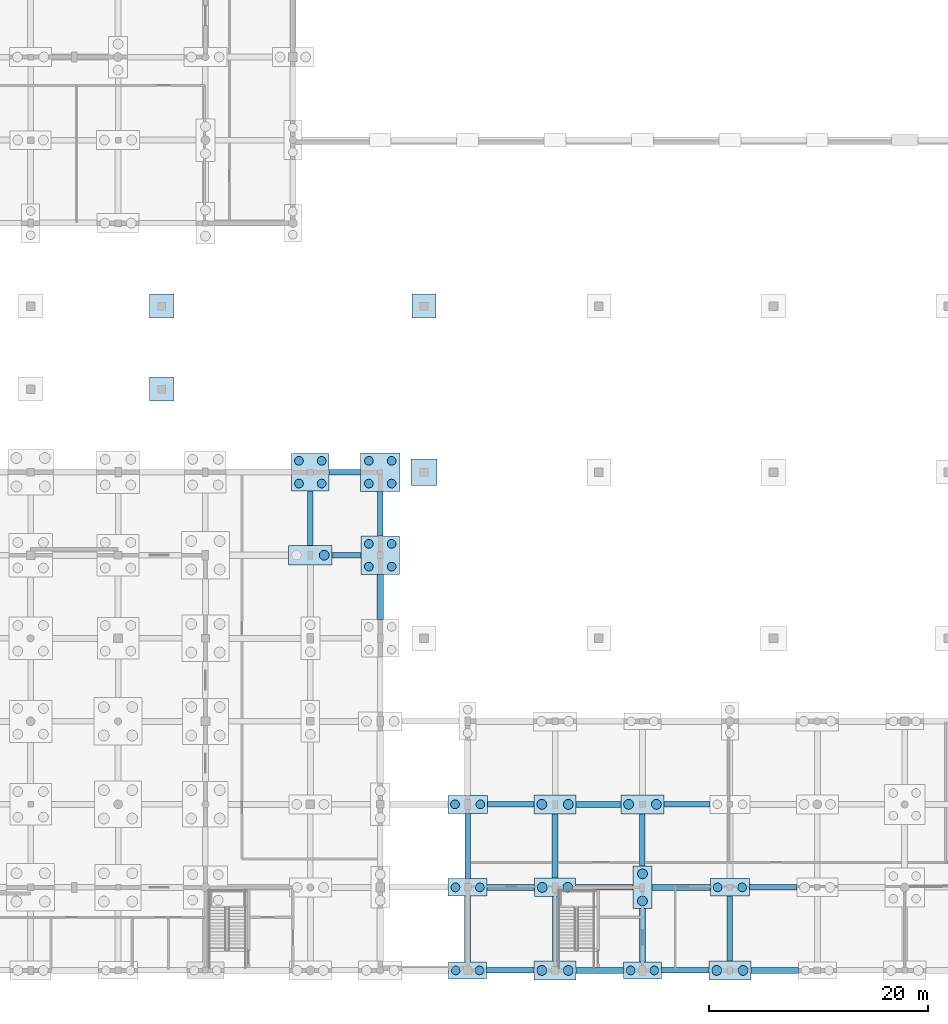
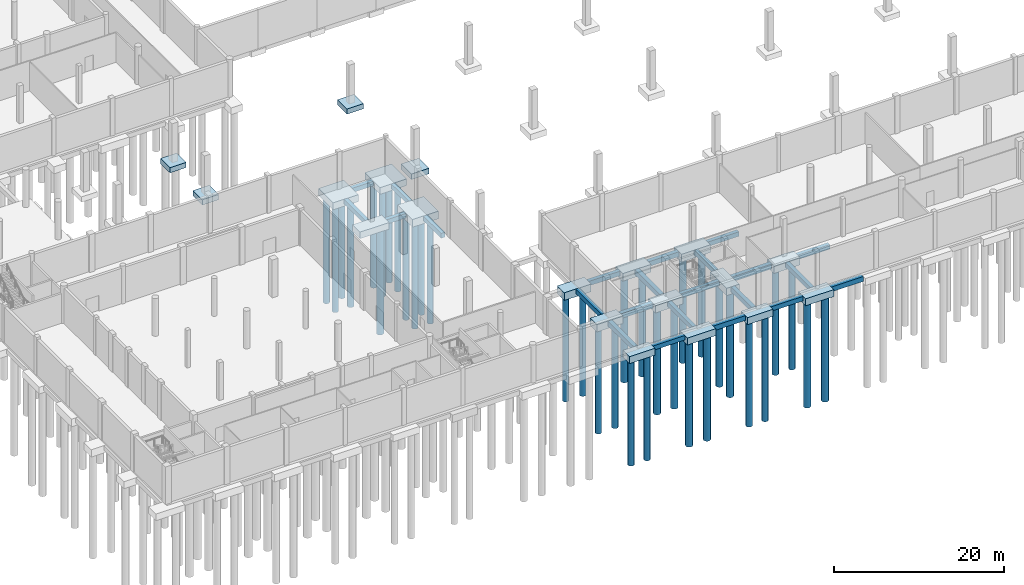
# One storey, part 5 of 44: 42 footings, 35 piles.
"""IFC4 building model written with IfcOpenShell, lengths in metres."""

from ifc_helpers import new_model, si_unit, direction, frame, origin, origin_2d, place, context, subcontext, project, spatial, polyline, circle, outline, extrude, material, material_profile, profile_set, type_object, element, save


model = new_model("IFC4")

# Units and contexts
model_context = context("Model", 3, precision=1e-05, world=origin(), true_north=direction((0.0, 1.0)))
body_context = subcontext(model_context, "Body", "Model", "MODEL_VIEW")
ifc_project = project(units=[si_unit("LENGTHUNIT", "METRE"), si_unit("AREAUNIT", "SQUARE_METRE"), si_unit("VOLUMEUNIT", "CUBIC_METRE"), si_unit("PLANEANGLEUNIT", "RADIAN"), si_unit("MASSUNIT", "GRAM", prefix="KILO")], contexts=[model_context])

# Site, building, storey
site_placement = place(None, origin())
site = spatial("IfcSite", under=ifc_project, at=site_placement, CompositionType="ELEMENT")
building_placement = place(site_placement, origin())
building = spatial("IfcBuilding", under=site, at=building_placement, Name="Khelvaren Railside Concert Hall", CompositionType="ELEMENT")
storey_placement = place(building_placement, frame((0.0, 0.0, -5.39990234375)))
storey = spatial("IfcBuildingStorey", under=building, at=storey_placement, Name="B1", CompositionType="ELEMENT", Elevation=-5.39990234375)

# Piles
ifc_material = material(Name="Concrete C35/45", Category="concrete")
ifc_material_profile_1 = material_profile(ifc_material, circle(Radius=0.449951171875, at=origin_2d()), Name="BP D900")
ifc_profile_set_1 = profile_set([ifc_material_profile_1], Name="Concrete C35/45")
pile_type_1 = type_object("IfcPileType", Name="BP51", PredefinedType="BORED", material=ifc_profile_set_1)
pile_placement = place(storey_placement, frame((50.8701171875, 38.0, -1.35009765625), z_axis=(0.0, 0.0, -1.0), x_axis=(1.0, 0.0, 0.0)))
element("IfcPile", 1, at=pile_placement, inside=storey, type_object=pile_type_1, Name="Bored Pile BP51 PC-V1-100-2", PredefinedType="BORED", context=body_context, shape_type="SweptSolid", body=[
    extrude(circle(Radius=0.449951171875, at=origin_2d()), origin(), (0.0, 0.0, 1.0), 15.25),
])
for number, where, z_axis, x_axis, name in (
    (2, (70.7900390625, 0.0, -1.400146484375), (0.0, 0.0, -1.0), (1.0, 0.0, 0.0), "Bored Pile BP51 PC-V3-113-1"),
    (3, (73.2099609375, 0.0, -1.400146484375), (0.0, 0.0, -1.0), (1.0, 0.0, 0.0), "Bored Pile BP51 PC-V3-113-2"),
):
    element("IfcPile", number, at=place(storey_placement, frame(where, z_axis=z_axis, x_axis=x_axis)), inside=storey, type_object=pile_type_1, Name=name, PredefinedType="BORED", context=body_context, shape_type="SweptSolid", body=[
        extrude(circle(Radius=0.449951171875, at=origin_2d()), origin(), (0.0, 0.0, 1.0), 15.199951171875),
    ])
for number, where, z_axis, x_axis, name in (
    (4, (70.830078125, 7.60009765625, -1.4501953125), (0.0, 0.0, -1.0), (1.0, 0.0, 0.0), "Bored Pile BP51 PC-V3-114-1"),
    (5, (73.169921875, 7.60009765625, -1.4501953125), (0.0, 0.0, -1.0), (1.0, 0.0, 0.0), "Bored Pile BP51 PC-V3-114-2"),
):
    element("IfcPile", number, at=place(storey_placement, frame(where, z_axis=z_axis, x_axis=x_axis)), inside=storey, type_object=pile_type_1, Name=name, PredefinedType="BORED", context=body_context, shape_type="SweptSolid", body=[
        extrude(circle(Radius=0.449951171875, at=origin_2d()), origin(), (0.0, 0.0, 1.0), 15.14990234375),
    ])
for number, where, z_axis, x_axis, name in (
    (6, (70.7900390625, 15.199951171875, -1.5), (0.0, 0.0, -1.0), (1.0, 0.0, 0.0), "Bored Pile BP51 PC-V3-115-1"),
    (7, (73.2099609375, 15.199951171875, -1.5), (0.0, 0.0, -1.0), (1.0, 0.0, 0.0), "Bored Pile BP51 PC-V3-115-2"),
):
    element("IfcPile", number, at=place(storey_placement, frame(where, z_axis=z_axis, x_axis=x_axis)), inside=storey, type_object=pile_type_1, Name=name, PredefinedType="BORED", context=body_context, shape_type="SweptSolid", body=[
        extrude(circle(Radius=0.449951171875, at=origin_2d()), origin(), (0.0, 0.0, 1.0), 15.10009765625),
    ])
for number, where, z_axis, x_axis, name in (
    (8, (80.0, 6.360107421875, -1.4501953125), (0.0, 0.0, -1.0), (1.0, 0.0, 0.0), "Bored Pile BP51 PC-V3-118-1"),
    (9, (80.0, 8.840087890625, -1.4501953125), (0.0, 0.0, -1.0), (1.0, 0.0, 0.0), "Bored Pile BP51 PC-V3-118-2"),
):
    element("IfcPile", number, at=place(storey_placement, frame(where, z_axis=z_axis, x_axis=x_axis)), inside=storey, type_object=pile_type_1, Name=name, PredefinedType="BORED", context=body_context, shape_type="SweptSolid", body=[
        extrude(circle(Radius=0.449951171875, at=origin_2d()), origin(), (0.0, 0.0, 1.0), 15.14990234375),
    ])
for number, where, z_axis, x_axis, name in (
    (10, (78.72998046875, 15.199951171875, -1.5), (0.0, 0.0, -1.0), (1.0, 0.0, 0.0), "Bored Pile BP51 PC-V3-119-1"),
    (11, (81.27001953125, 15.199951171875, -1.5), (0.0, 0.0, -1.0), (1.0, 0.0, 0.0), "Bored Pile BP51 PC-V3-119-2"),
):
    element("IfcPile", number, at=place(storey_placement, frame(where, z_axis=z_axis, x_axis=x_axis)), inside=storey, type_object=pile_type_1, Name=name, PredefinedType="BORED", context=body_context, shape_type="SweptSolid", body=[
        extrude(circle(Radius=0.449951171875, at=origin_2d()), origin(), (0.0, 0.0, 1.0), 15.10009765625),
    ])
for number, where, z_axis, x_axis, name in (
    (12, (86.7900390625, 0.0, -1.400146484375), (0.0, 0.0, -1.0), (1.0, 0.0, 0.0), "Bored Pile BP51 PC-V3-121-1"),
    (13, (89.2099609375, 0.0, -1.400146484375), (0.0, 0.0, -1.0), (1.0, 0.0, 0.0), "Bored Pile BP51 PC-V3-121-2"),
):
    element("IfcPile", number, at=place(storey_placement, frame(where, z_axis=z_axis, x_axis=x_axis)), inside=storey, type_object=pile_type_1, Name=name, PredefinedType="BORED", context=body_context, shape_type="SweptSolid", body=[
        extrude(circle(Radius=0.449951171875, at=origin_2d()), origin(), (0.0, 0.0, 1.0), 15.199951171875),
    ])
ifc_material_profile_2 = material_profile(ifc_material, circle(Radius=0.39990234375, at=origin_2d()), Name="BP D800")
ifc_profile_set_2 = profile_set([ifc_material_profile_2], Name="Concrete C35/45")
pile_type_2 = type_object("IfcPileType", Name="BP84", PredefinedType="BORED", material=ifc_profile_set_2)
for number, where, z_axis, x_axis, name in (
    (14, (48.56005859375, 44.56005859375, -1.400146484375), (0.0, 0.0, -1.0), (1.0, 0.0, 0.0), "Bored Pile BP84 PC-V1-101-1"),
    (15, (50.639892578125, 44.56005859375, -1.400146484375), (0.0, 0.0, -1.0), (1.0, 0.0, 0.0), "Bored Pile BP84 PC-V1-101-2"),
    (16, (48.56005859375, 46.639892578125, -1.400146484375), (0.0, 0.0, -1.0), (1.0, 0.0, 0.0), "Bored Pile BP84 PC-V1-101-3"),
    (17, (50.639892578125, 46.639892578125, -1.400146484375), (0.0, 0.0, -1.0), (1.0, 0.0, 0.0), "Bored Pile BP84 PC-V1-101-4"),
):
    element("IfcPile", number, at=place(storey_placement, frame(where, z_axis=z_axis, x_axis=x_axis)), inside=storey, type_object=pile_type_2, Name=name, PredefinedType="BORED", context=body_context, shape_type="SweptSolid", body=[
        extrude(circle(Radius=0.39990234375, at=origin_2d()), origin(), (0.0, 0.0, 1.0), 15.199951171875),
    ])
for number, where, z_axis, x_axis, name in (
    (18, (54.9599609375, 36.9599609375, -1.5), (0.0, 0.0, -1.0), (1.0, 0.0, 0.0), "Bored Pile BP84 PC-V1-107-1"),
    (19, (57.0400390625, 36.9599609375, -1.5), (0.0, 0.0, -1.0), (1.0, 0.0, 0.0), "Bored Pile BP84 PC-V1-107-2"),
    (20, (54.9599609375, 39.0400390625, -1.5), (0.0, 0.0, -1.0), (1.0, 0.0, 0.0), "Bored Pile BP84 PC-V1-107-3"),
    (21, (57.0400390625, 39.0400390625, -1.5), (0.0, 0.0, -1.0), (1.0, 0.0, 0.0), "Bored Pile BP84 PC-V1-107-4"),
):
    element("IfcPile", number, at=place(storey_placement, frame(where, z_axis=z_axis, x_axis=x_axis)), inside=storey, type_object=pile_type_2, Name=name, PredefinedType="BORED", context=body_context, shape_type="SweptSolid", body=[
        extrude(circle(Radius=0.39990234375, at=origin_2d()), origin(), (0.0, 0.0, 1.0), 15.10009765625),
    ])
for number, where, z_axis, x_axis, name in (
    (22, (54.9599609375, 44.56005859375, -1.35009765625), (0.0, 0.0, -1.0), (1.0, 0.0, 0.0), "Bored Pile BP84 PC-V1-108-1"),
    (23, (57.0400390625, 44.56005859375, -1.35009765625), (0.0, 0.0, -1.0), (1.0, 0.0, 0.0), "Bored Pile BP84 PC-V1-108-2"),
    (24, (54.9599609375, 46.639892578125, -1.35009765625), (0.0, 0.0, -1.0), (1.0, 0.0, 0.0), "Bored Pile BP84 PC-V1-108-3"),
    (25, (57.0400390625, 46.639892578125, -1.35009765625), (0.0, 0.0, -1.0), (1.0, 0.0, 0.0), "Bored Pile BP84 PC-V1-108-4"),
):
    element("IfcPile", number, at=place(storey_placement, frame(where, z_axis=z_axis, x_axis=x_axis)), inside=storey, type_object=pile_type_2, Name=name, PredefinedType="BORED", context=body_context, shape_type="SweptSolid", body=[
        extrude(circle(Radius=0.39990234375, at=origin_2d()), origin(), (0.0, 0.0, 1.0), 15.25),
    ])
for number, where, z_axis, x_axis, name in (
    (26, (62.919921875, 0.0, -1.400146484375), (0.0, 0.0, -1.0), (1.0, 0.0, 0.0), "Bored Pile BP84 PC-V3-109-1"),
    (27, (65.080078125, 0.0, -1.400146484375), (0.0, 0.0, -1.0), (1.0, 0.0, 0.0), "Bored Pile BP84 PC-V3-109-2"),
):
    element("IfcPile", number, at=place(storey_placement, frame(where, z_axis=z_axis, x_axis=x_axis)), inside=storey, type_object=pile_type_2, Name=name, PredefinedType="BORED", context=body_context, shape_type="SweptSolid", body=[
        extrude(circle(Radius=0.39990234375, at=origin_2d()), origin(), (0.0, 0.0, 1.0), 15.199951171875),
    ])
for number, where, z_axis, x_axis, name in (
    (28, (62.8798828125, 7.60009765625, -1.4501953125), (0.0, 0.0, -1.0), (1.0, 0.0, 0.0), "Bored Pile BP84 PC-V3-110-1"),
    (29, (65.1201171875, 7.60009765625, -1.4501953125), (0.0, 0.0, -1.0), (1.0, 0.0, 0.0), "Bored Pile BP84 PC-V3-110-2"),
):
    element("IfcPile", number, at=place(storey_placement, frame(where, z_axis=z_axis, x_axis=x_axis)), inside=storey, type_object=pile_type_2, Name=name, PredefinedType="BORED", context=body_context, shape_type="SweptSolid", body=[
        extrude(circle(Radius=0.39990234375, at=origin_2d()), origin(), (0.0, 0.0, 1.0), 15.14990234375),
    ])
for number, where, z_axis, x_axis, name in (
    (30, (62.840087890625, 15.199951171875, -1.5), (0.0, 0.0, -1.0), (1.0, 0.0, 0.0), "Bored Pile BP84 PC-V3-111-1"),
    (31, (65.159912109375, 15.199951171875, -1.5), (0.0, 0.0, -1.0), (1.0, 0.0, 0.0), "Bored Pile BP84 PC-V3-111-2"),
):
    element("IfcPile", number, at=place(storey_placement, frame(where, z_axis=z_axis, x_axis=x_axis)), inside=storey, type_object=pile_type_2, Name=name, PredefinedType="BORED", context=body_context, shape_type="SweptSolid", body=[
        extrude(circle(Radius=0.39990234375, at=origin_2d()), origin(), (0.0, 0.0, 1.0), 15.10009765625),
    ])
for number, where, z_axis, x_axis, name in (
    (32, (78.919921875, 0.0, -1.400146484375), (0.0, 0.0, -1.0), (1.0, 0.0, 0.0), "Bored Pile BP84 PC-V3-117-1"),
    (33, (81.080078125, 0.0, -1.400146484375), (0.0, 0.0, -1.0), (1.0, 0.0, 0.0), "Bored Pile BP84 PC-V3-117-2"),
):
    element("IfcPile", number, at=place(storey_placement, frame(where, z_axis=z_axis, x_axis=x_axis)), inside=storey, type_object=pile_type_2, Name=name, PredefinedType="BORED", context=body_context, shape_type="SweptSolid", body=[
        extrude(circle(Radius=0.39990234375, at=origin_2d()), origin(), (0.0, 0.0, 1.0), 15.199951171875),
    ])
for number, where, z_axis, x_axis, name in (
    (34, (86.8798828125, 7.60009765625, -1.4501953125), (0.0, 0.0, -1.0), (1.0, 0.0, 0.0), "Bored Pile BP84 PC-V3-122-1"),
    (35, (89.1201171875, 7.60009765625, -1.4501953125), (0.0, 0.0, -1.0), (1.0, 0.0, 0.0), "Bored Pile BP84 PC-V3-122-2"),
):
    element("IfcPile", number, at=place(storey_placement, frame(where, z_axis=z_axis, x_axis=x_axis)), inside=storey, type_object=pile_type_2, Name=name, PredefinedType="BORED", context=body_context, shape_type="SweptSolid", body=[
        extrude(circle(Radius=0.39990234375, at=origin_2d()), origin(), (0.0, 0.0, 1.0), 15.14990234375),
    ])

# Footings
footing_type_1 = type_object("IfcFootingType", Name="GB49", PredefinedType="FOOTING_BEAM", material=ifc_material)
footing_1_placement = place(storey_placement, frame((0.0, 0.0, -1.150146484375)))
element("IfcFooting", 36, at=footing_1_placement, inside=storey, type_object=footing_type_1, Name="Ground Tie Beam GB49 9", PredefinedType="FOOTING_BEAM", context=body_context, shape_type="SweptSolid", body=[
    extrude(outline(polyline([(65.739990234375, -0.25), (70.080078125, -0.25), (70.080078125, 0.25), (65.739990234375, 0.25), (65.739990234375, -0.25)])), origin(), (0.0, 0.0, 1.0), 0.650146484375),
])
footing_2_placement = place(storey_placement, frame((0.0, 0.0, -1.150146484375)))
element("IfcFooting", 37, at=footing_2_placement, inside=storey, type_object=footing_type_1, Name="Ground Tie Beam GB49 11", PredefinedType="FOOTING_BEAM", context=body_context, shape_type="SweptSolid", body=[
    extrude(outline(polyline([(81.739990234375, -0.25), (86.080078125, -0.25), (86.080078125, 0.25), (81.739990234375, 0.25), (81.739990234375, -0.25)])), origin(), (0.0, 0.0, 1.0), 0.650146484375),
])
footing_3_placement = place(storey_placement, frame((0.0, 0.0, -1.150146484375)))
element("IfcFooting", 38, at=footing_3_placement, inside=storey, type_object=footing_type_1, Name="Ground Tie Beam GB49 33", PredefinedType="FOOTING_BEAM", context=body_context, shape_type="SweptSolid", body=[
    extrude(outline(polyline([(73.8798828125, 7.35009765625), (79.125, 7.35009765625), (79.125, 7.85009765625), (73.8798828125, 7.85009765625), (73.8798828125, 7.35009765625)])), origin(), (0.0, 0.0, 1.0), 0.650146484375),
])
footing_4_placement = place(storey_placement, frame((0.0, 0.0, -1.150146484375)))
element("IfcFooting", 39, at=footing_4_placement, inside=storey, type_object=footing_type_1, Name="Ground Tie Beam GB49 35", PredefinedType="FOOTING_BEAM", context=body_context, shape_type="SweptSolid", body=[
    extrude(outline(polyline([(89.780029296875, 7.35009765625), (94.1201171875, 7.35009765625), (94.1201171875, 7.85009765625), (89.780029296875, 7.85009765625), (89.780029296875, 7.35009765625)])), origin(), (0.0, 0.0, 1.0), 0.650146484375),
])
footing_5_placement = place(storey_placement, frame((0.0, 0.0, -1.150146484375)))
element("IfcFooting", 40, at=footing_5_placement, inside=storey, type_object=footing_type_1, Name="Ground Tie Beam GB49 55", PredefinedType="FOOTING_BEAM", context=body_context, shape_type="SweptSolid", body=[
    extrude(outline(polyline([(65.820068359375, 14.949951171875), (70.080078125, 14.949951171875), (70.080078125, 15.449951171875), (65.820068359375, 15.449951171875), (65.820068359375, 14.949951171875)])), origin(), (0.0, 0.0, 1.0), 0.650146484375),
])
footing_6_placement = place(storey_placement, frame((0.0, 0.0, -1.150146484375)))
element("IfcFooting", 41, at=footing_6_placement, inside=storey, type_object=footing_type_1, Name="Ground Tie Beam GB49 57", PredefinedType="FOOTING_BEAM", context=body_context, shape_type="SweptSolid", body=[
    extrude(outline(polyline([(81.97998046875, 14.949951171875), (86.179931640625, 14.949951171875), (86.179931640625, 15.449951171875), (81.97998046875, 15.449951171875), (81.97998046875, 14.949951171875)])), origin(), (0.0, 0.0, 1.0), 0.650146484375),
])
footing_7_placement = place(storey_placement, frame((0.0, 0.0, -1.150146484375)))
element("IfcFooting", 42, at=footing_7_placement, inside=storey, type_object=footing_type_1, Name="Ground Tie Beam GB49 111", PredefinedType="FOOTING_BEAM", context=body_context, shape_type="SweptSolid", body=[
    extrude(outline(polyline([(51.580078125, 37.75), (54.239990234375, 37.75), (54.239990234375, 38.25), (51.580078125, 38.25), (51.580078125, 37.75)])), origin(), (0.0, 0.0, 1.0), 0.650146484375),
])
footing_8_placement = place(storey_placement, frame((0.0, 0.0, -1.150146484375)))
element("IfcFooting", 43, at=footing_8_placement, inside=storey, type_object=footing_type_1, Name="Ground Tie Beam GB49 123", PredefinedType="FOOTING_BEAM", context=body_context, shape_type="SweptSolid", body=[
    extrude(outline(polyline([(51.320068359375, 45.35009765625), (54.199951171875, 45.35009765625), (54.199951171875, 45.85009765625), (51.320068359375, 45.85009765625), (51.320068359375, 45.35009765625)])), origin(), (0.0, 0.0, 1.0), 0.650146484375),
])
footing_9_placement = place(storey_placement, frame((0.0, 0.0, -1.150146484375)))
element("IfcFooting", 44, at=footing_9_placement, inside=storey, type_object=footing_type_1, Name="Ground Tie Beam GB49 297", PredefinedType="FOOTING_BEAM", context=body_context, shape_type="SweptSolid", body=[
    extrude(outline(polyline([(49.35009765625, 38.875), (49.85009765625, 38.875), (49.85009765625, 43.8798828125), (49.35009765625, 43.8798828125), (49.35009765625, 38.875)])), origin(), (0.0, 0.0, 1.0), 0.650146484375),
])
footing_10_placement = place(storey_placement, frame((0.0, 0.0, -1.150146484375)))
element("IfcFooting", 45, at=footing_10_placement, inside=storey, type_object=footing_type_1, Name="Ground Tie Beam GB49 303", PredefinedType="FOOTING_BEAM", context=body_context, shape_type="SweptSolid", body=[
    extrude(outline(polyline([(55.75, 39.739990234375), (56.25, 39.739990234375), (56.25, 43.820068359375), (55.75, 43.820068359375), (55.75, 39.739990234375)])), origin(), (0.0, 0.0, 1.0), 0.650146484375),
])
footing_11_placement = place(storey_placement, frame((0.0, 0.0, -1.150146484375)))
element("IfcFooting", 46, at=footing_11_placement, inside=storey, type_object=footing_type_1, Name="Ground Tie Beam GB49 305", PredefinedType="FOOTING_BEAM", context=body_context, shape_type="SweptSolid", body=[
    extrude(outline(polyline([(63.75, 8.39990234375), (64.25, 8.39990234375), (64.25, 14.375), (63.75, 14.375), (63.75, 8.39990234375)])), origin(), (0.0, 0.0, 1.0), 0.650146484375),
])
footing_12_placement = place(storey_placement, frame((0.0, 0.0, -1.150146484375)))
element("IfcFooting", 47, at=footing_12_placement, inside=storey, type_object=footing_type_1, Name="Ground Tie Beam GB49 307", PredefinedType="FOOTING_BEAM", context=body_context, shape_type="SweptSolid", body=[
    extrude(outline(polyline([(71.75, 0.860107421875), (72.25, 0.860107421875), (72.25, 6.75), (71.75, 6.75), (71.75, 0.860107421875)])), origin(), (0.0, 0.0, 1.0), 0.650146484375),
])
footing_13_placement = place(storey_placement, frame((0.0, 0.0, -1.150146484375)))
element("IfcFooting", 48, at=footing_13_placement, inside=storey, type_object=footing_type_1, Name="Ground Tie Beam GB49 311", PredefinedType="FOOTING_BEAM", context=body_context, shape_type="SweptSolid", body=[
    extrude(outline(polyline([(79.75, 9.550048828125), (80.25, 9.550048828125), (80.25, 14.324951171875), (79.75, 14.324951171875), (79.75, 9.550048828125)])), origin(), (0.0, 0.0, 1.0), 0.650146484375),
])
footing_14_placement = place(storey_placement, frame((0.0, 0.0, -1.150146484375)))
element("IfcFooting", 49, at=footing_14_placement, inside=storey, type_object=footing_type_1, Name="Ground Tie Beam GB49 313", PredefinedType="FOOTING_BEAM", context=body_context, shape_type="SweptSolid", body=[
    extrude(outline(polyline([(87.75, 0.860107421875), (88.25, 0.860107421875), (88.25, 6.800048828125), (87.75, 6.800048828125), (87.75, 0.860107421875)])), origin(), (0.0, 0.0, 1.0), 0.650146484375),
])
footing_type_2 = type_object("IfcFootingType", Name="GB57", PredefinedType="FOOTING_BEAM", material=ifc_material)
footing_15_placement = place(storey_placement, frame((0.0, 0.0, -1.2001953125)))
element("IfcFooting", 50, at=footing_15_placement, inside=storey, type_object=footing_type_2, Name="Ground Tie Beam GB57 10", PredefinedType="FOOTING_BEAM", context=body_context, shape_type="SweptSolid", body=[
    extrude(outline(polyline([(73.919921875, -0.27490234375), (78.260009765625, -0.27490234375), (78.260009765625, 0.27490234375), (73.919921875, 0.27490234375), (73.919921875, -0.27490234375)])), origin(), (0.0, 0.0, 1.0), 0.7001953125),
])
footing_16_placement = place(storey_placement, frame((0.0, 0.0, -1.2001953125)))
element("IfcFooting", 51, at=footing_16_placement, inside=storey, type_object=footing_type_2, Name="Ground Tie Beam GB57 12", PredefinedType="FOOTING_BEAM", context=body_context, shape_type="SweptSolid", body=[
    extrude(outline(polyline([(89.919921875, -0.27490234375), (94.260009765625, -0.27490234375), (94.260009765625, 0.27490234375), (89.919921875, 0.27490234375), (89.919921875, -0.27490234375)])), origin(), (0.0, 0.0, 1.0), 0.7001953125),
])
footing_17_placement = place(storey_placement, frame((0.0, 0.0, -1.2001953125)))
element("IfcFooting", 52, at=footing_17_placement, inside=storey, type_object=footing_type_2, Name="Ground Tie Beam GB57 32", PredefinedType="FOOTING_BEAM", context=body_context, shape_type="SweptSolid", body=[
    extrude(outline(polyline([(65.780029296875, 7.324951171875), (70.1201171875, 7.324951171875), (70.1201171875, 7.875), (65.780029296875, 7.875), (65.780029296875, 7.324951171875)])), origin(), (0.0, 0.0, 1.0), 0.7001953125),
])
footing_18_placement = place(storey_placement, frame((0.0, 0.0, -1.2001953125)))
element("IfcFooting", 53, at=footing_18_placement, inside=storey, type_object=footing_type_2, Name="Ground Tie Beam GB57 34", PredefinedType="FOOTING_BEAM", context=body_context, shape_type="SweptSolid", body=[
    extrude(outline(polyline([(80.875, 7.324951171875), (86.219970703125, 7.324951171875), (86.219970703125, 7.875), (80.875, 7.875), (80.875, 7.324951171875)])), origin(), (0.0, 0.0, 1.0), 0.7001953125),
])
footing_19_placement = place(storey_placement, frame((0.0, 0.0, -1.2001953125)))
element("IfcFooting", 54, at=footing_19_placement, inside=storey, type_object=footing_type_2, Name="Ground Tie Beam GB57 56", PredefinedType="FOOTING_BEAM", context=body_context, shape_type="SweptSolid", body=[
    extrude(outline(polyline([(73.919921875, 14.925048828125), (78.02001953125, 14.925048828125), (78.02001953125, 15.47509765625), (73.919921875, 15.47509765625), (73.919921875, 14.925048828125)])), origin(), (0.0, 0.0, 1.0), 0.7001953125),
])
footing_20_placement = place(storey_placement, frame((0.0, 0.0, -1.2001953125)))
element("IfcFooting", 55, at=footing_20_placement, inside=storey, type_object=footing_type_2, Name="Ground Tie Beam GB57 302", PredefinedType="FOOTING_BEAM", context=body_context, shape_type="SweptSolid", body=[
    extrude(outline(polyline([(55.72509765625, 32.1201171875), (56.27490234375, 32.1201171875), (56.27490234375, 36.260009765625), (55.72509765625, 36.260009765625), (55.72509765625, 32.1201171875)])), origin(), (0.0, 0.0, 1.0), 0.7001953125),
])
footing_21_placement = place(storey_placement, frame((0.0, 0.0, -1.2001953125)))
element("IfcFooting", 56, at=footing_21_placement, inside=storey, type_object=footing_type_2, Name="Ground Tie Beam GB57 304", PredefinedType="FOOTING_BEAM", context=body_context, shape_type="SweptSolid", body=[
    extrude(outline(polyline([(63.72509765625, 0.77490234375), (64.27490234375, 0.77490234375), (64.27490234375, 6.800048828125), (63.72509765625, 6.800048828125), (63.72509765625, 0.77490234375)])), origin(), (0.0, 0.0, 1.0), 0.7001953125),
])
footing_22_placement = place(storey_placement, frame((0.0, 0.0, -1.2001953125)))
element("IfcFooting", 57, at=footing_22_placement, inside=storey, type_object=footing_type_2, Name="Ground Tie Beam GB57 308", PredefinedType="FOOTING_BEAM", context=body_context, shape_type="SweptSolid", body=[
    extrude(outline(polyline([(71.72509765625, 8.449951171875), (72.27490234375, 8.449951171875), (72.27490234375, 14.340087890625), (71.72509765625, 14.340087890625), (71.72509765625, 8.449951171875)])), origin(), (0.0, 0.0, 1.0), 0.7001953125),
])
footing_23_placement = place(storey_placement, frame((0.0, 0.0, -1.2001953125)))
element("IfcFooting", 58, at=footing_23_placement, inside=storey, type_object=footing_type_2, Name="Ground Tie Beam GB57 310", PredefinedType="FOOTING_BEAM", context=body_context, shape_type="SweptSolid", body=[
    extrude(outline(polyline([(79.72509765625, 0.77490234375), (80.27490234375, 0.77490234375), (80.27490234375, 5.64990234375), (79.72509765625, 5.64990234375), (79.72509765625, 0.77490234375)])), origin(), (0.0, 0.0, 1.0), 0.7001953125),
])
footing_type_3 = type_object("IfcFootingType", Name="PC22", PredefinedType="PILE_CAP", material=ifc_material)
footing_24_placement = place(storey_placement, frame((0.0, 0.0, -1.5)))
element("IfcFooting", 59, at=footing_24_placement, inside=storey, type_object=footing_type_3, Name="Pile Cap PC22 (49.6,45.6)", PredefinedType="PILE_CAP", context=body_context, shape_type="SweptSolid", body=[
    extrude(outline(polyline([(47.8798828125, 43.8798828125), (51.320068359375, 43.8798828125), (51.320068359375, 47.320068359375), (47.8798828125, 47.320068359375), (47.8798828125, 43.8798828125)])), origin(), (0.0, 0.0, 1.0), 1.0),
])
footing_type_4 = type_object("IfcFootingType", Name="PC25", PredefinedType="PILE_CAP", material=ifc_material)
footing_25_placement = place(storey_placement, frame((0.0, 0.0, -1.60009765625)))
element("IfcFooting", 60, at=footing_25_placement, inside=storey, type_object=footing_type_4, Name="Pile Cap PC25 (72.0,15.2)", PredefinedType="PILE_CAP", context=body_context, shape_type="SweptSolid", body=[
    extrude(outline(polyline([(70.080078125, 14.340087890625), (73.919921875, 14.340087890625), (73.919921875, 16.06005859375), (70.080078125, 16.06005859375), (70.080078125, 14.340087890625)])), origin(), (0.0, 0.0, 1.0), 1.10009765625),
])
footing_type_5 = type_object("IfcFootingType", Name="PC28", PredefinedType="PILE_CAP", material=ifc_material)
footing_26_placement = place(storey_placement, frame((0.0, 0.0, -1.60009765625)))
element("IfcFooting", 61, at=footing_26_placement, inside=storey, type_object=footing_type_5, Name="Pile Cap PC28 (80.0,15.2)", PredefinedType="PILE_CAP", context=body_context, shape_type="SweptSolid", body=[
    extrude(outline(polyline([(78.02001953125, 14.324951171875), (81.97998046875, 14.324951171875), (81.97998046875, 16.074951171875), (78.02001953125, 16.074951171875), (78.02001953125, 14.324951171875)])), origin(), (0.0, 0.0, 1.0), 1.10009765625),
])
footing_type_6 = type_object("IfcFootingType", Name="PC33", PredefinedType="PILE_CAP", material=ifc_material)
footing_27_placement = place(storey_placement, frame((0.0, 0.0, -1.60009765625)))
element("IfcFooting", 62, at=footing_27_placement, inside=storey, type_object=footing_type_6, Name="Pile Cap PC33 (64.0,15.2)", PredefinedType="PILE_CAP", context=body_context, shape_type="SweptSolid", body=[
    extrude(outline(polyline([(62.179931640625, 14.375), (65.820068359375, 14.375), (65.820068359375, 16.02490234375), (62.179931640625, 16.02490234375), (62.179931640625, 14.375)])), origin(), (0.0, 0.0, 1.0), 1.10009765625),
])
footing_type_7 = type_object("IfcFootingType", Name="PC38", PredefinedType="PILE_CAP", material=ifc_material)
footing_28_placement = place(storey_placement, frame((0.0, 0.0, -1.4501953125)))
element("IfcFooting", 63, at=footing_28_placement, inside=storey, type_object=footing_type_7, Name="Pile Cap PC38 (56.0,45.6)", PredefinedType="PILE_CAP", context=body_context, shape_type="SweptSolid", body=[
    extrude(outline(polyline([(54.199951171875, 43.820068359375), (57.800048828125, 43.820068359375), (57.800048828125, 47.3798828125), (54.199951171875, 47.3798828125), (54.199951171875, 43.820068359375)])), origin(), (0.0, 0.0, 1.0), 0.9501953125),
])
footing_type_8 = type_object("IfcFootingType", Name="PC41", PredefinedType="PILE_CAP", material=ifc_material)
footing_29_placement = place(storey_placement, frame((0.0, 0.0, -1.550048828125)))
element("IfcFooting", 64, at=footing_29_placement, inside=storey, type_object=footing_type_8, Name="Pile Cap PC41 (80.0,7.6)", PredefinedType="PILE_CAP", context=body_context, shape_type="SweptSolid", body=[
    extrude(outline(polyline([(79.125, 5.64990234375), (80.875, 5.64990234375), (80.875, 9.550048828125), (79.125, 9.550048828125), (79.125, 5.64990234375)])), origin(), (0.0, 0.0, 1.0), 1.050048828125),
])
footing_type_9 = type_object("IfcFootingType", Name="PC58", PredefinedType="PILE_CAP", material=ifc_material)
footing_30_placement = place(storey_placement, frame((0.0, 0.0, -1.550048828125)))
element("IfcFooting", 65, at=footing_30_placement, inside=storey, type_object=footing_type_9, Name="Pile Cap PC58 (72.0,7.6)", PredefinedType="PILE_CAP", context=body_context, shape_type="SweptSolid", body=[
    extrude(outline(polyline([(70.1201171875, 6.75), (73.8798828125, 6.75), (73.8798828125, 8.449951171875), (70.1201171875, 8.449951171875), (70.1201171875, 6.75)])), origin(), (0.0, 0.0, 1.0), 1.050048828125),
])
footing_type_10 = type_object("IfcFootingType", Name="PC59", PredefinedType="PILE_CAP", material=ifc_material)
footing_31_placement = place(storey_placement, frame((0.0, 0.0, -1.5)))
element("IfcFooting", 66, at=footing_31_placement, inside=storey, type_object=footing_type_10, Name="Pile Cap PC59 (72.0,0.0)", PredefinedType="PILE_CAP", context=body_context, shape_type="SweptSolid", body=[
    extrude(outline(polyline([(70.080078125, -0.860107421875), (73.919921875, -0.860107421875), (73.919921875, 0.860107421875), (70.080078125, 0.860107421875), (70.080078125, -0.860107421875)])), origin(), (0.0, 0.0, 1.0), 1.0),
])
footing_32_placement = place(storey_placement, frame((0.0, 0.0, -1.5)))
element("IfcFooting", 67, at=footing_32_placement, inside=storey, type_object=footing_type_10, Name="Pile Cap PC59 (88.0,0.0)", PredefinedType="PILE_CAP", context=body_context, shape_type="SweptSolid", body=[
    extrude(outline(polyline([(86.080078125, -0.860107421875), (89.919921875, -0.860107421875), (89.919921875, 0.860107421875), (86.080078125, 0.860107421875), (86.080078125, -0.860107421875)])), origin(), (0.0, 0.0, 1.0), 1.0),
])
footing_type_11 = type_object("IfcFootingType", Name="PC86", PredefinedType="PILE_CAP", material=ifc_material)
footing_33_placement = place(storey_placement, frame((0.0, 0.0, -1.550048828125)))
element("IfcFooting", 68, at=footing_33_placement, inside=storey, type_object=footing_type_11, Name="Pile Cap PC86 (64.0,7.6)", PredefinedType="PILE_CAP", context=body_context, shape_type="SweptSolid", body=[
    extrude(outline(polyline([(62.219970703125, 6.800048828125), (65.780029296875, 6.800048828125), (65.780029296875, 8.39990234375), (62.219970703125, 8.39990234375), (62.219970703125, 6.800048828125)])), origin(), (0.0, 0.0, 1.0), 1.050048828125),
])
footing_34_placement = place(storey_placement, frame((0.0, 0.0, -1.550048828125)))
element("IfcFooting", 69, at=footing_34_placement, inside=storey, type_object=footing_type_11, Name="Pile Cap PC86 (88.0,7.6)", PredefinedType="PILE_CAP", context=body_context, shape_type="SweptSolid", body=[
    extrude(outline(polyline([(86.219970703125, 6.800048828125), (89.780029296875, 6.800048828125), (89.780029296875, 8.39990234375), (86.219970703125, 8.39990234375), (86.219970703125, 6.800048828125)])), origin(), (0.0, 0.0, 1.0), 1.050048828125),
])
footing_type_12 = type_object("IfcFootingType", Name="PC87", PredefinedType="PILE_CAP", material=ifc_material)
footing_35_placement = place(storey_placement, frame((0.0, 0.0, -1.4501953125)))
element("IfcFooting", 70, at=footing_35_placement, inside=storey, type_object=footing_type_12, Name="Pile Cap PC87 (49.6,38.0)", PredefinedType="PILE_CAP", context=body_context, shape_type="SweptSolid", body=[
    extrude(outline(polyline([(47.6201171875, 37.125), (51.580078125, 37.125), (51.580078125, 38.875), (47.6201171875, 38.875), (47.6201171875, 37.125)])), origin(), (0.0, 0.0, 1.0), 0.9501953125),
])
footing_type_13 = type_object("IfcFootingType", Name="PC89", PredefinedType="PILE_CAP", material=ifc_material)
footing_36_placement = place(storey_placement, frame((0.0, 0.0, -1.60009765625)))
element("IfcFooting", 71, at=footing_36_placement, inside=storey, type_object=footing_type_13, Name="Pile Cap PC89 (56.0,38.0)", PredefinedType="PILE_CAP", context=body_context, shape_type="SweptSolid", body=[
    extrude(outline(polyline([(54.239990234375, 36.260009765625), (57.760009765625, 36.260009765625), (57.760009765625, 39.739990234375), (54.239990234375, 39.739990234375), (54.239990234375, 36.260009765625)])), origin(), (0.0, 0.0, 1.0), 1.10009765625),
])
footing_type_14 = type_object("IfcFootingType", Name="PC93", PredefinedType="PILE_CAP", material=ifc_material)
footing_37_placement = place(storey_placement, frame((0.0, 0.0, -1.5)))
element("IfcFooting", 72, at=footing_37_placement, inside=storey, type_object=footing_type_14, Name="Pile Cap PC93 (64.0,0.0)", PredefinedType="PILE_CAP", context=body_context, shape_type="SweptSolid", body=[
    extrude(outline(polyline([(62.260009765625, -0.77490234375), (65.739990234375, -0.77490234375), (65.739990234375, 0.77490234375), (62.260009765625, 0.77490234375), (62.260009765625, -0.77490234375)])), origin(), (0.0, 0.0, 1.0), 1.0),
])
footing_38_placement = place(storey_placement, frame((0.0, 0.0, -1.5)))
element("IfcFooting", 73, at=footing_38_placement, inside=storey, type_object=footing_type_14, Name="Pile Cap PC93 (80.0,0.0)", PredefinedType="PILE_CAP", context=body_context, shape_type="SweptSolid", body=[
    extrude(outline(polyline([(78.260009765625, -0.77490234375), (81.739990234375, -0.77490234375), (81.739990234375, 0.77490234375), (78.260009765625, 0.77490234375), (78.260009765625, -0.77490234375)])), origin(), (0.0, 0.0, 1.0), 1.0),
])
footing_type_15 = type_object("IfcFootingType", Name="PF31", PredefinedType="PAD_FOOTING", material=ifc_material)
footing_39_placement = place(storey_placement, frame((0.0, 0.0, -1.25)))
element("IfcFooting", 74, at=footing_39_placement, inside=storey, type_object=footing_type_15, Name="Pad Footing PF31 12", PredefinedType="PAD_FOOTING", context=body_context, shape_type="SweptSolid", body=[
    extrude(outline(polyline([(58.89990234375, 59.699951171875), (61.10009765625, 59.699951171875), (61.10009765625, 61.89990234375), (58.89990234375, 61.89990234375), (58.89990234375, 59.699951171875)])), origin(), (0.0, 0.0, 1.0), 0.75),
])
footing_40_placement = place(storey_placement, frame((0.0, 0.0, -1.25)))
element("IfcFooting", 75, at=footing_40_placement, inside=storey, type_object=footing_type_15, Name="Pad Footing PF31 39", PredefinedType="PAD_FOOTING", context=body_context, shape_type="SweptSolid", body=[
    extrude(outline(polyline([(34.89990234375, 52.10009765625), (37.10009765625, 52.10009765625), (37.10009765625, 54.300048828125), (34.89990234375, 54.300048828125), (34.89990234375, 52.10009765625)])), origin(), (0.0, 0.0, 1.0), 0.75),
])
footing_41_placement = place(storey_placement, frame((0.0, 0.0, -1.25)))
element("IfcFooting", 76, at=footing_41_placement, inside=storey, type_object=footing_type_15, Name="Pad Footing PF31 41", PredefinedType="PAD_FOOTING", context=body_context, shape_type="SweptSolid", body=[
    extrude(outline(polyline([(34.89990234375, 59.699951171875), (37.10009765625, 59.699951171875), (37.10009765625, 61.89990234375), (34.89990234375, 61.89990234375), (34.89990234375, 59.699951171875)])), origin(), (0.0, 0.0, 1.0), 0.75),
])
footing_type_16 = type_object("IfcFootingType", Name="PF46", PredefinedType="PAD_FOOTING", material=ifc_material)
footing_42_placement = place(storey_placement, frame((0.0, 0.0, -1.300048828125)))
element("IfcFooting", 77, at=footing_42_placement, inside=storey, type_object=footing_type_16, Name="Pad Footing PF46 6", PredefinedType="PAD_FOOTING", context=body_context, shape_type="SweptSolid", body=[
    extrude(outline(polyline([(58.800048828125, 44.39990234375), (61.199951171875, 44.39990234375), (61.199951171875, 46.800048828125), (58.800048828125, 46.800048828125), (58.800048828125, 44.39990234375)])), origin(), (0.0, 0.0, 1.0), 0.800048828125),
])

save(model, "model.ifc")
